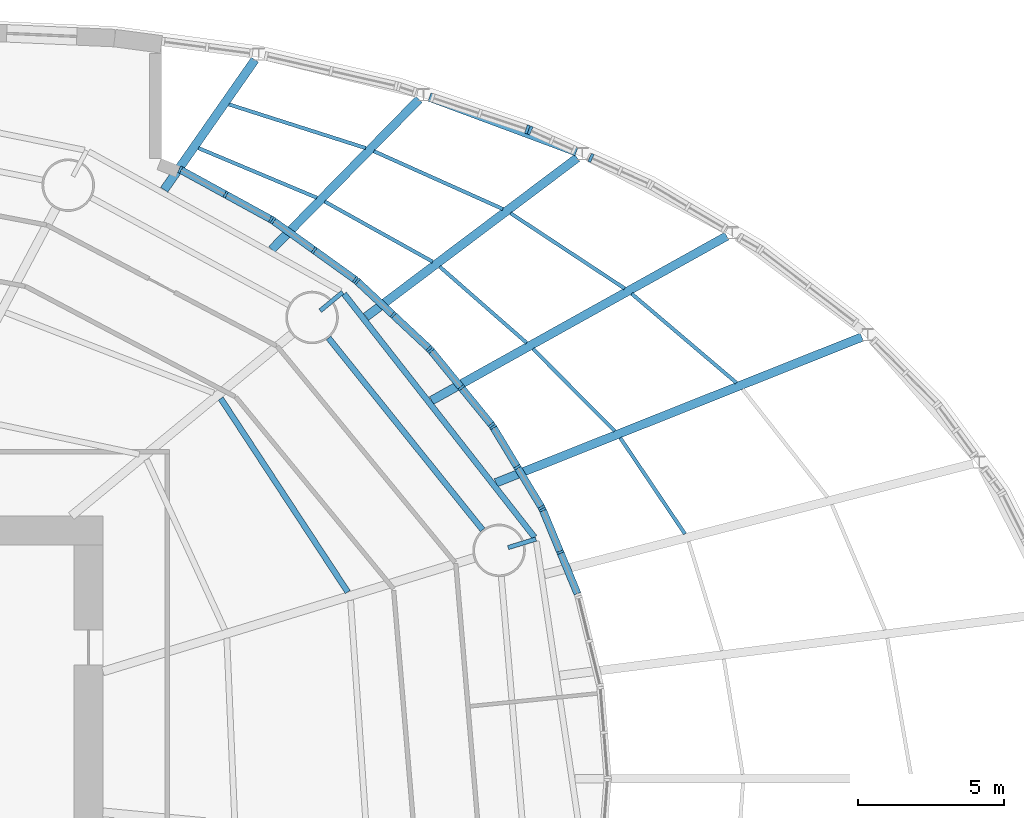
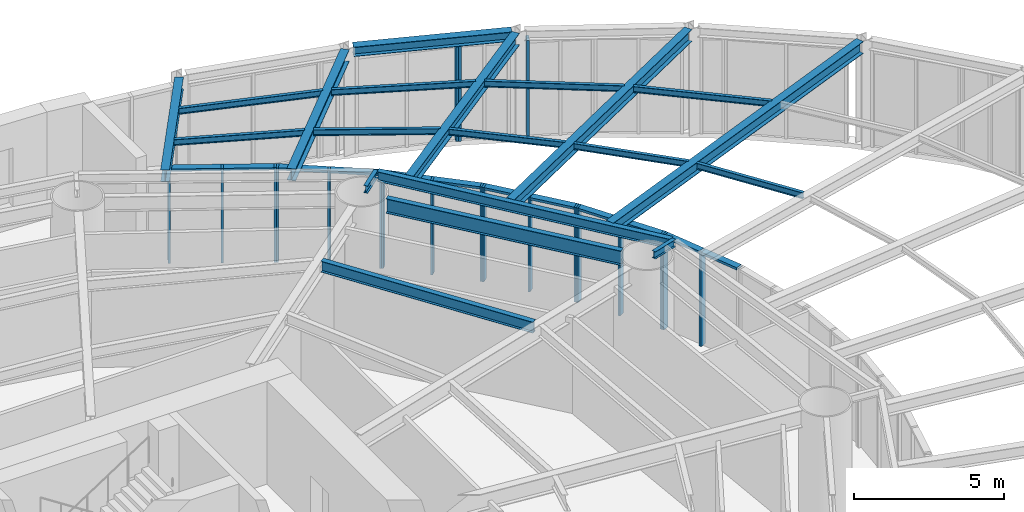
# One storey, part 9 of 23: 32 members, 20 beams, 9 elements without a shape of their own.
"""IFC4 building model written with IfcOpenShell, lengths in metres."""

from ifc_helpers import new_model, si_unit, direction, frame, origin, origin_2d, place, context, subcontext, project, spatial, rectangle, i_section, extrude, material, material_profile, profile_set, type_object, element, aggregate, save


model = new_model("IFC4")

# Units and contexts
model_context = context("Model", 3, precision=1e-05, world=origin(), true_north=direction((0.0, 1.0)))
body_context = subcontext(model_context, "Body", "Model", "MODEL_VIEW")
ifc_project = project(units=[si_unit("LENGTHUNIT", "METRE"), si_unit("AREAUNIT", "SQUARE_METRE"), si_unit("VOLUMEUNIT", "CUBIC_METRE"), si_unit("PLANEANGLEUNIT", "RADIAN"), si_unit("MASSUNIT", "GRAM", prefix="KILO")], contexts=[model_context])

# Site, building, storey
site_placement = place(None, origin())
site = spatial("IfcSite", under=ifc_project, at=site_placement, CompositionType="ELEMENT")
building_placement = place(site_placement, origin())
building = spatial("IfcBuilding", under=site, at=building_placement, Name="Vermilion Reach Broadcast Tower", CompositionType="ELEMENT")
storey_placement = place(building_placement, frame((0.0, 0.0, 31.5)))
storey = spatial("IfcBuildingStorey", under=building, at=storey_placement, Name="L04", CompositionType="ELEMENT", Elevation=31.5)

# Curtain wall, member
ifc_material_1 = material(Name="Low-e laminated clear glass in aluminium frame", Category="aluminium")
curtain_wall_type_1 = type_object("IfcCurtainWallType", Name="Atrium outer wall curtain wall", PredefinedType="NOTDEFINED", material=ifc_material_1)
placement = place(storey_placement, origin())
curtain_wall_1 = element("IfcCurtainWall", 1, at=placement, inside=storey, type_object=curtain_wall_type_1, Name="Atrium wall L04 19-1", PredefinedType="NOTDEFINED")
ifc_material_2 = material(Name="Anodised aluminium", Category="aluminium")
ifc_material_profile_1 = material_profile(ifc_material_2, rectangle(XDim=0.300048828125, YDim=0.10009765625, at=origin_2d()), Name="Atrium outer wall mullion 100 x 300")
ifc_profile_set_1 = profile_set([ifc_material_profile_1], Name="Anodised aluminium")
member_type_1 = type_object("IfcMemberType", Name="Atrium outer wall mullion 100 x 300", PredefinedType="MULLION", material=ifc_profile_set_1)
member_1_placement = place(storey_placement, frame((22.726806640625, 21.276123046875, 0.0), z_axis=(0.0, 0.0, 1.0), x_axis=(-0.410407876277, -0.911902064418, 0.0)))
member_1 = element("IfcMember", 2, at=member_1_placement, type_object=member_type_1, Name="Atrium wall mullion L04 19-1.3", PredefinedType="MULLION", context=body_context, shape_type="SweptSolid", body=[
    extrude(rectangle(XDim=0.300048828125, YDim=0.10009765625, at=origin_2d()), origin(), (0.0, 0.0, 1.0), 3.9599609375),
])
aggregate(curtain_wall_1, [member_1])

curtain_wall_2 = element("IfcCurtainWall", 3, at=placement, inside=storey, type_object=curtain_wall_type_1, Name="Atrium wall L04 19-2", PredefinedType="NOTDEFINED")
member_2_placement = place(storey_placement, frame((20.636962890625, 22.216552734375, 0.0), z_axis=(0.0, 0.0, 1.0), x_axis=(-0.410407876277, -0.911902064418, 0.0)))
member_2 = element("IfcMember", 4, at=member_2_placement, type_object=member_type_1, Name="Atrium wall mullion L04 19-2.3", PredefinedType="MULLION", context=body_context, shape_type="SweptSolid", body=[
    extrude(rectangle(XDim=0.300048828125, YDim=0.10009765625, at=origin_2d()), origin(), (0.0, 0.0, 1.0), 3.9599609375),
])
aggregate(curtain_wall_2, [member_2])

curtain_wall_3 = element("IfcCurtainWall", 5, at=placement, inside=storey, type_object=curtain_wall_type_1, Name="Atrium wall L04 20-1", PredefinedType="NOTDEFINED")
member_3_placement = place(storey_placement, frame((20.5439453125, 22.2529296875, 0.0), z_axis=(0.0, 0.0, 1.0), x_axis=(-0.315228098746, -0.949015935462, 0.0)))
member_3 = element("IfcMember", 6, at=member_3_placement, type_object=member_type_1, Name="Atrium wall mullion L04 20-1.1", PredefinedType="MULLION", context=body_context, shape_type="SweptSolid", body=[
    extrude(rectangle(XDim=0.300048828125, YDim=0.10009765625, at=origin_2d()), origin(), (0.0, 0.0, 1.0), 3.9599609375),
])
aggregate(curtain_wall_3, [member_3])

# Curtain wall, members
ifc_material_3 = material(Name="Low-e laminated clear glass in aluminium frame", Category="aluminium")
curtain_wall_type_2 = type_object("IfcCurtainWallType", Name="Drum wall curtain wall", PredefinedType="NOTDEFINED", material=ifc_material_3)
curtain_wall_4 = element("IfcCurtainWall", 7, at=placement, inside=storey, type_object=curtain_wall_type_2, Name="Drum wall L04 01", PredefinedType="NOTDEFINED")
ifc_material_4 = material(Name="Anodised aluminium", Category="aluminium")
ifc_material_profile_2 = material_profile(ifc_material_4, rectangle(XDim=0.25, YDim=0.080078125, at=origin_2d()), Name="Drum wall mullion 80 x 250")
ifc_profile_set_2 = profile_set([ifc_material_profile_2], Name="Anodised aluminium")
member_type_2 = type_object("IfcMemberType", Name="Drum wall mullion 80 x 250", PredefinedType="MULLION", material=ifc_profile_set_2)
member_4_placement = place(storey_placement, frame((8.648681640625, 20.870849609375, 0.0), z_axis=(0.0, 0.0, 1.0), x_axis=(0.480269272265, 0.87712110117, 0.0)))
member_4 = element("IfcMember", 8, at=member_4_placement, type_object=member_type_2, Name="Drum wall mullion L04 01.1", PredefinedType="MULLION", context=body_context, shape_type="SweptSolid", body=[
    extrude(rectangle(XDim=0.25, YDim=0.080078125, at=origin_2d()), origin(), (0.0, 0.0, 1.0), 3.862060546875),
])
member_5_placement = place(storey_placement, frame((10.2060546875, 20.01806640625, 0.0), z_axis=(0.0, 0.0, 1.0), x_axis=(0.480269272265, 0.87712110117, 0.0)))
member_5 = element("IfcMember", 9, at=member_5_placement, type_object=member_type_2, Name="Drum wall mullion L04 01.2", PredefinedType="MULLION", context=body_context, shape_type="SweptSolid", body=[
    extrude(rectangle(XDim=0.25, YDim=0.080078125, at=origin_2d()), origin(), (0.0, 0.0, 1.0), 3.862060546875),
])
member_6_placement = place(storey_placement, frame((11.76318359375, 19.16552734375, 0.0), z_axis=(0.0, 0.0, 1.0), x_axis=(0.480269272265, 0.87712110117, 0.0)))
member_6 = element("IfcMember", 10, at=member_6_placement, type_object=member_type_2, Name="Drum wall mullion L04 01.3", PredefinedType="MULLION", context=body_context, shape_type="SweptSolid", body=[
    extrude(rectangle(XDim=0.25, YDim=0.080078125, at=origin_2d()), origin(), (0.0, 0.0, 1.0), 3.862060546875),
])

curtain_wall_5 = element("IfcCurtainWall", 11, at=placement, inside=storey, type_object=curtain_wall_type_2, Name="Drum wall L04 02", PredefinedType="NOTDEFINED")
member_7_placement = place(storey_placement, frame((11.830810546875, 19.123046875, 0.0), z_axis=(0.0, 0.0, 1.0), x_axis=(0.583587074286, 0.812050569069, 0.0)))
member_7 = element("IfcMember", 12, at=member_7_placement, type_object=member_type_2, Name="Drum wall mullion L04 02.1", PredefinedType="MULLION", context=body_context, shape_type="SweptSolid", body=[
    extrude(rectangle(XDim=0.25, YDim=0.080078125, at=origin_2d()), origin(), (0.0, 0.0, 1.0), 3.862060546875),
])
member_8_placement = place(storey_placement, frame((13.23974609375, 18.1103515625, 0.0), z_axis=(0.0, 0.0, 1.0), x_axis=(0.583587074286, 0.812050569069, 0.0)))
member_8 = element("IfcMember", 13, at=member_8_placement, type_object=member_type_2, Name="Drum wall mullion L04 02.2", PredefinedType="MULLION", context=body_context, shape_type="SweptSolid", body=[
    extrude(rectangle(XDim=0.25, YDim=0.080078125, at=origin_2d()), origin(), (0.0, 0.0, 1.0), 3.862060546875),
])
member_9_placement = place(storey_placement, frame((14.64892578125, 17.09765625, 0.0), z_axis=(0.0, 0.0, 1.0), x_axis=(0.583587074286, 0.812050569069, 0.0)))
member_9 = element("IfcMember", 14, at=member_9_placement, type_object=member_type_2, Name="Drum wall mullion L04 02.3", PredefinedType="MULLION", context=body_context, shape_type="SweptSolid", body=[
    extrude(rectangle(XDim=0.25, YDim=0.080078125, at=origin_2d()), origin(), (0.0, 0.0, 1.0), 3.862060546875),
])

curtain_wall_6 = element("IfcCurtainWall", 15, at=placement, inside=storey, type_object=curtain_wall_type_2, Name="Drum wall L04 03", PredefinedType="NOTDEFINED")
member_10_placement = place(storey_placement, frame((14.710693359375, 17.047119140625, 0.0), z_axis=(0.0, 0.0, 1.0), x_axis=(0.682747869342, 0.730654054194, 0.0)))
member_10 = element("IfcMember", 16, at=member_10_placement, type_object=member_type_2, Name="Drum wall mullion L04 03.1", PredefinedType="MULLION", context=body_context, shape_type="SweptSolid", body=[
    extrude(rectangle(XDim=0.25, YDim=0.080078125, at=origin_2d()), origin(), (0.0, 0.0, 1.0), 3.862060546875),
])
member_11_placement = place(storey_placement, frame((15.947265625, 15.891357421875, 0.0), z_axis=(0.0, 0.0, 1.0), x_axis=(0.682747869342, 0.730654054194, 0.0)))
member_11 = element("IfcMember", 17, at=member_11_placement, type_object=member_type_2, Name="Drum wall mullion L04 03.2", PredefinedType="MULLION", context=body_context, shape_type="SweptSolid", body=[
    extrude(rectangle(XDim=0.25, YDim=0.080078125, at=origin_2d()), origin(), (0.0, 0.0, 1.0), 3.862060546875),
])
member_12_placement = place(storey_placement, frame((17.18408203125, 14.73583984375, 0.0), z_axis=(0.0, 0.0, 1.0), x_axis=(0.682747869342, 0.730654054194, 0.0)))
member_12 = element("IfcMember", 18, at=member_12_placement, type_object=member_type_2, Name="Drum wall mullion L04 03.3", PredefinedType="MULLION", context=body_context, shape_type="SweptSolid", body=[
    extrude(rectangle(XDim=0.25, YDim=0.080078125, at=origin_2d()), origin(), (0.0, 0.0, 1.0), 3.862060546875),
])

curtain_wall_7 = element("IfcCurtainWall", 19, at=placement, inside=storey, type_object=curtain_wall_type_2, Name="Drum wall L04 04", PredefinedType="NOTDEFINED")
member_13_placement = place(storey_placement, frame((17.238525390625, 14.677490234375, 0.0), z_axis=(0.0, 0.0, 1.0), x_axis=(0.775024968423, 0.631930611951, 0.0)))
member_13 = element("IfcMember", 20, at=member_13_placement, type_object=member_type_2, Name="Drum wall mullion L04 04.1", PredefinedType="MULLION", context=body_context, shape_type="SweptSolid", body=[
    extrude(rectangle(XDim=0.25, YDim=0.080078125, at=origin_2d()), origin(), (0.0, 0.0, 1.0), 3.862060546875),
])
member_14_placement = place(storey_placement, frame((18.28173828125, 13.398193359375, 0.0), z_axis=(0.0, 0.0, 1.0), x_axis=(0.775024968423, 0.631930611951, 0.0)))
member_14 = element("IfcMember", 21, at=member_14_placement, type_object=member_type_2, Name="Drum wall mullion L04 04.2", PredefinedType="MULLION", context=body_context, shape_type="SweptSolid", body=[
    extrude(rectangle(XDim=0.25, YDim=0.080078125, at=origin_2d()), origin(), (0.0, 0.0, 1.0), 3.862060546875),
])
member_15_placement = place(storey_placement, frame((19.32470703125, 12.118896484375, 0.0), z_axis=(0.0, 0.0, 1.0), x_axis=(0.775024968423, 0.631930611951, 0.0)))
member_15 = element("IfcMember", 22, at=member_15_placement, type_object=member_type_2, Name="Drum wall mullion L04 04.3", PredefinedType="MULLION", context=body_context, shape_type="SweptSolid", body=[
    extrude(rectangle(XDim=0.25, YDim=0.080078125, at=origin_2d()), origin(), (0.0, 0.0, 1.0), 3.862060546875),
])

curtain_wall_8 = element("IfcCurtainWall", 23, at=placement, inside=storey, type_object=curtain_wall_type_2, Name="Drum wall L04 05", PredefinedType="NOTDEFINED")
member_16_placement = place(storey_placement, frame((19.37060546875, 12.0537109375, 0.0), z_axis=(0.0, 0.0, 1.0), x_axis=(0.856821409027, 0.515613297961, 0.0)))
member_16 = element("IfcMember", 24, at=member_16_placement, type_object=member_type_2, Name="Drum wall mullion L04 05.1", PredefinedType="MULLION", context=body_context, shape_type="SweptSolid", body=[
    extrude(rectangle(XDim=0.25, YDim=0.080078125, at=origin_2d()), origin(), (0.0, 0.0, 1.0), 3.862060546875),
])
member_17_placement = place(storey_placement, frame((20.201904296875, 10.67236328125, 0.0), z_axis=(0.0, 0.0, 1.0), x_axis=(0.856821409027, 0.515613297961, 0.0)))
member_17 = element("IfcMember", 25, at=member_17_placement, type_object=member_type_2, Name="Drum wall mullion L04 05.2", PredefinedType="MULLION", context=body_context, shape_type="SweptSolid", body=[
    extrude(rectangle(XDim=0.25, YDim=0.080078125, at=origin_2d()), origin(), (0.0, 0.0, 1.0), 3.862060546875),
])
member_18_placement = place(storey_placement, frame((21.032958984375, 9.291015625, 0.0), z_axis=(0.0, 0.0, 1.0), x_axis=(0.856821409027, 0.515613297961, 0.0)))
member_18 = element("IfcMember", 26, at=member_18_placement, type_object=member_type_2, Name="Drum wall mullion L04 05.3", PredefinedType="MULLION", context=body_context, shape_type="SweptSolid", body=[
    extrude(rectangle(XDim=0.25, YDim=0.080078125, at=origin_2d()), origin(), (0.0, 0.0, 1.0), 3.862060546875),
])

curtain_wall_9 = element("IfcCurtainWall", 27, at=placement, inside=storey, type_object=curtain_wall_type_2, Name="Drum wall L04 06", PredefinedType="NOTDEFINED")
member_19_placement = place(storey_placement, frame((21.069091796875, 9.219970703125, 0.0), z_axis=(0.0, 0.0, 1.0), x_axis=(0.92387542808, 0.382693341189, 0.0)))
member_19 = element("IfcMember", 28, at=member_19_placement, type_object=member_type_2, Name="Drum wall mullion L04 06.1", PredefinedType="MULLION", context=body_context, shape_type="SweptSolid", body=[
    extrude(rectangle(XDim=0.25, YDim=0.080078125, at=origin_2d()), origin(), (0.0, 0.0, 1.0), 3.862060546875),
])
member_20_placement = place(storey_placement, frame((21.673583984375, 7.76025390625, 0.0), z_axis=(0.0, 0.0, 1.0), x_axis=(0.92387542808, 0.382693341189, 0.0)))
member_20 = element("IfcMember", 29, at=member_20_placement, type_object=member_type_2, Name="Drum wall mullion L04 06.2", PredefinedType="MULLION", context=body_context, shape_type="SweptSolid", body=[
    extrude(rectangle(XDim=0.25, YDim=0.080078125, at=origin_2d()), origin(), (0.0, 0.0, 1.0), 3.862060546875),
])

# Member
ifc_material_5 = material(Name="Anodised aluminium", Category="aluminium")
ifc_material_profile_3 = material_profile(ifc_material_5, rectangle(XDim=0.25, YDim=0.10009765625, at=origin_2d()), Name="Drum wall transom 250 x 100")
ifc_profile_set_3 = profile_set([ifc_material_profile_3], Name="Anodised aluminium")
member_type_3 = type_object("IfcMemberType", Name="Drum wall transom 250 x 100", PredefinedType="USERDEFINED", material=ifc_profile_set_3)
member_21_placement = place(storey_placement, frame((8.683837890625, 20.8515625, 3.81201171875), z_axis=(0.877129487817, -0.480253955322, 0.0), x_axis=(0.480253955322, 0.877129487817, 0.0)))
member_21 = element("IfcMember", 30, at=member_21_placement, type_object=member_type_3, Name="Drum wall transom L04 01.1.2", ObjectType="TRANSOM", PredefinedType="USERDEFINED", context=body_context, shape_type="SweptSolid", body=[
    extrude(rectangle(XDim=0.25, YDim=0.10009765625, at=origin_2d()), origin(), (0.0, 0.0, 1.0), 1.6953125),
])

member_22_placement = place(storey_placement, frame((10.2412109375, 19.9990234375, 3.81201171875), z_axis=(0.877096267842, -0.480314622866, 0.0), x_axis=(0.480314622866, 0.877096267842, 0.0)))
member_22 = element("IfcMember", 31, at=member_22_placement, type_object=member_type_3, Name="Drum wall transom L04 01.2.2", ObjectType="TRANSOM", PredefinedType="USERDEFINED", context=body_context, shape_type="SweptSolid", body=[
    extrude(rectangle(XDim=0.25, YDim=0.10009765625, at=origin_2d()), origin(), (0.0, 0.0, 1.0), 1.695068359375),
])

aggregate(curtain_wall_4, [member_4, member_5, member_6, member_21, member_22])

member_23_placement = place(storey_placement, frame((11.86328125, 19.099609375, 3.81201171875), z_axis=(0.812065616245, -0.583566135852, 0.0), x_axis=(0.583566135852, 0.812065616245, 0.0)))
member_23 = element("IfcMember", 32, at=member_23_placement, type_object=member_type_3, Name="Drum wall transom L04 02.1.2", ObjectType="TRANSOM", PredefinedType="USERDEFINED", context=body_context, shape_type="SweptSolid", body=[
    extrude(rectangle(XDim=0.25, YDim=0.10009765625, at=origin_2d()), origin(), (0.0, 0.0, 1.0), 1.655029296875),
])

member_24_placement = place(storey_placement, frame((13.272216796875, 18.0869140625, 3.81201171875), z_axis=(0.812115843093, -0.583496235975, 0.0), x_axis=(0.583496235975, 0.812115843093, 0.0)))
member_24 = element("IfcMember", 33, at=member_24_placement, type_object=member_type_3, Name="Drum wall transom L04 02.2.2", ObjectType="TRANSOM", PredefinedType="USERDEFINED", context=body_context, shape_type="SweptSolid", body=[
    extrude(rectangle(XDim=0.25, YDim=0.10009765625, at=origin_2d()), origin(), (0.0, 0.0, 1.0), 1.6552734375),
])

aggregate(curtain_wall_5, [member_7, member_8, member_9, member_23, member_24])

member_25_placement = place(storey_placement, frame((14.73974609375, 17.019775390625, 3.81201171875), z_axis=(0.730692725273, -0.68270648249, 0.0), x_axis=(0.68270648249, 0.730692725273, 0.0)))
member_25 = element("IfcMember", 34, at=member_25_placement, type_object=member_type_3, Name="Drum wall transom L04 03.1.2", ObjectType="TRANSOM", PredefinedType="USERDEFINED", context=body_context, shape_type="SweptSolid", body=[
    extrude(rectangle(XDim=0.25, YDim=0.10009765625, at=origin_2d()), origin(), (0.0, 0.0, 1.0), 1.61279296875),
])

member_26_placement = place(storey_placement, frame((15.9765625, 15.864013671875, 3.81201171875), z_axis=(0.730622158932, -0.682782000991, 0.0), x_axis=(0.682782000991, 0.730622158932, 0.0)))
member_26 = element("IfcMember", 35, at=member_26_placement, type_object=member_type_3, Name="Drum wall transom L04 03.2.2", ObjectType="TRANSOM", PredefinedType="USERDEFINED", context=body_context, shape_type="SweptSolid", body=[
    extrude(rectangle(XDim=0.25, YDim=0.10009765625, at=origin_2d()), origin(), (0.0, 0.0, 1.0), 1.612548828125),
])

aggregate(curtain_wall_6, [member_10, member_11, member_12, member_25, member_26])

member_27_placement = place(storey_placement, frame((17.263916015625, 14.646484375, 3.81201171875), z_axis=(0.631890910418, -0.775057338092, 0.0), x_axis=(0.775057338092, 0.631890910418, 0.0)))
member_27 = element("IfcMember", 36, at=member_27_placement, type_object=member_type_3, Name="Drum wall transom L04 04.1.2", ObjectType="TRANSOM", PredefinedType="USERDEFINED", context=body_context, shape_type="SweptSolid", body=[
    extrude(rectangle(XDim=0.25, YDim=0.10009765625, at=origin_2d()), origin(), (0.0, 0.0, 1.0), 1.570556640625),
])

member_28_placement = place(storey_placement, frame((18.306884765625, 13.3671875, 3.81201171875), z_axis=(0.631984275662, -0.774981209653, 0.0), x_axis=(0.774981209653, 0.631984275662, 0.0)))
member_28 = element("IfcMember", 37, at=member_28_placement, type_object=member_type_3, Name="Drum wall transom L04 04.2.2", ObjectType="TRANSOM", PredefinedType="USERDEFINED", context=body_context, shape_type="SweptSolid", body=[
    extrude(rectangle(XDim=0.25, YDim=0.10009765625, at=origin_2d()), origin(), (0.0, 0.0, 1.0), 1.57080078125),
])

aggregate(curtain_wall_7, [member_13, member_14, member_15, member_27, member_28])

member_29_placement = place(storey_placement, frame((19.391357421875, 12.019287109375, 3.81201171875), z_axis=(0.515526530238, -0.856873617648, 0.0), x_axis=(0.856873617648, 0.515526530238, 0.0)))
member_29 = element("IfcMember", 38, at=member_29_placement, type_object=member_type_3, Name="Drum wall transom L04 05.1.2", ObjectType="TRANSOM", PredefinedType="USERDEFINED", context=body_context, shape_type="SweptSolid", body=[
    extrude(rectangle(XDim=0.25, YDim=0.10009765625, at=origin_2d()), origin(), (0.0, 0.0, 1.0), 1.531982421875),
])

member_30_placement = place(storey_placement, frame((20.222412109375, 10.63818359375, 3.81201171875), z_axis=(0.515643522398, -0.856803220004, 0.0), x_axis=(0.856803220004, 0.515643522398, 0.0)))
member_30 = element("IfcMember", 39, at=member_30_placement, type_object=member_type_3, Name="Drum wall transom L04 05.2.2", ObjectType="TRANSOM", PredefinedType="USERDEFINED", context=body_context, shape_type="SweptSolid", body=[
    extrude(rectangle(XDim=0.25, YDim=0.10009765625, at=origin_2d()), origin(), (0.0, 0.0, 1.0), 1.5322265625),
])

aggregate(curtain_wall_8, [member_16, member_17, member_18, member_29, member_30])

member_31_placement = place(storey_placement, frame((21.084228515625, 9.182861328125, 3.81201171875), z_axis=(0.382811769845, -0.923826362943, 0.0), x_axis=(0.923826362943, 0.382811769845, 0.0)))
member_31 = element("IfcMember", 40, at=member_31_placement, type_object=member_type_3, Name="Drum wall transom L04 06.1.2", ObjectType="TRANSOM", PredefinedType="USERDEFINED", context=body_context, shape_type="SweptSolid", body=[
    extrude(rectangle(XDim=0.25, YDim=0.10009765625, at=origin_2d()), origin(), (0.0, 0.0, 1.0), 1.5),
])

member_32_placement = place(storey_placement, frame((21.68896484375, 7.72314453125, 3.81201171875), z_axis=(0.382672848413, -0.923883916457, 0.0), x_axis=(0.923883916457, 0.382672848413, 0.0)))
member_32 = element("IfcMember", 41, at=member_32_placement, type_object=member_type_3, Name="Drum wall transom L04 06.2.2", ObjectType="TRANSOM", PredefinedType="USERDEFINED", context=body_context, shape_type="SweptSolid", body=[
    extrude(rectangle(XDim=0.25, YDim=0.10009765625, at=origin_2d()), origin(), (0.0, 0.0, 1.0), 1.5),
])

aggregate(curtain_wall_9, [member_19, member_20, member_31, member_32])

# Beams
ifc_material_6 = material(Name="Steel S355J2", Category="steel")
ifc_material_profile_4 = material_profile(ifc_material_6, i_section(OverallWidth=0.199951171875, OverallDepth=0.39990234375, WebThickness=0.008056640625, FlangeThickness=0.012939453125, at=origin_2d()), Name="S355J2 HN 400x200x8x13")
ifc_profile_set_4 = profile_set([ifc_material_profile_4], Name="Steel S355J2")
beam_type_1 = type_object("IfcBeamType", Name="EB1 HN 400x200x8x13", PredefinedType="BEAM", material=ifc_profile_set_4)
beam_1_placement = place(storey_placement, frame((20.7900390625, 8.274169921875, 4.14990234375), z_axis=(-0.616413320997, 0.787422769354, 0.0), x_axis=(-0.787422769354, -0.616413320997, 0.0)))
element("IfcBeam", 42, at=beam_1_placement, inside=storey, type_object=beam_type_1, Name="Edge beam EB1-01", PredefinedType="BEAM", context=body_context, shape_type="SweptSolid", body=[
    extrude(i_section(OverallWidth=0.199951171875, OverallDepth=0.39990234375, WebThickness=0.008056640625, FlangeThickness=0.012939453125, at=origin_2d()), origin(), (0.0, 0.0, 1.0), 10.5888671875),
])
ifc_material_7 = material(Name="Steel S355J2", Category="steel")
ifc_material_profile_5 = material_profile(ifc_material_7, i_section(OverallWidth=0.14990234375, OverallDepth=0.300048828125, WebThickness=0.006591796875, FlangeThickness=0.009033203125, at=origin_2d()), Name="S355J2 HN 300x150x6.5x9")
ifc_profile_set_5 = profile_set([ifc_material_profile_5], Name="Steel S355J2")
beam_type_2 = type_object("IfcBeamType", Name="GS1 HN 300x150x6.5x9", PredefinedType="BEAM", material=ifc_profile_set_5)
beam_2_placement = place(storey_placement, frame((19.883544921875, 7.918212890625, 4.199951171875), z_axis=(0.956184611971, 0.29276438962, 0.0), x_axis=(-0.29276438962, 0.956184611971, 0.0)))
element("IfcBeam", 43, at=beam_2_placement, inside=storey, type_object=beam_type_2, Name="Cantilever stub GS1-01", PredefinedType="BEAM", context=body_context, shape_type="SweptSolid", body=[
    extrude(i_section(OverallWidth=0.14990234375, OverallDepth=0.300048828125, WebThickness=0.006591796875, FlangeThickness=0.009033203125, at=origin_2d()), origin(), (0.0, 0.0, 1.0), 0.999755859375),
])
beam_3_placement = place(storey_placement, frame((13.445068359375, 16.034912109375, 4.199951171875), z_axis=(0.771493112118, 0.636237674108, 0.0), x_axis=(-0.636237674108, 0.771493112118, 0.0)))
element("IfcBeam", 44, at=beam_3_placement, inside=storey, type_object=beam_type_2, Name="Cantilever stub GS1-02", PredefinedType="BEAM", context=body_context, shape_type="SweptSolid", body=[
    extrude(i_section(OverallWidth=0.14990234375, OverallDepth=0.300048828125, WebThickness=0.006591796875, FlangeThickness=0.009033203125, at=origin_2d()), origin(), (0.0, 0.0, 1.0), 1.0),
])
ifc_material_8 = material(Name="Steel S355J2", Category="steel")
ifc_material_profile_6 = material_profile(ifc_material_8, i_section(OverallWidth=0.125, OverallDepth=0.25, WebThickness=0.006103515625, FlangeThickness=0.009033203125, at=origin_2d()), Name="S355J2 HN 250x125x6x9")
ifc_profile_set_6 = profile_set([ifc_material_profile_6], Name="Steel S355J2")
beam_type_3 = type_object("IfcBeamType", Name="PU1 HN 250x125x6x9", PredefinedType="JOIST", material=ifc_profile_set_6)
beam_4_placement = place(storey_placement, frame((25.944091796875, 8.3896484375, 4.22509765625), z_axis=(-0.558573577782, 0.829454976598, 0.0), x_axis=(-0.829454976598, -0.558573577782, 0.0)))
element("IfcBeam", 45, at=beam_4_placement, inside=storey, type_object=beam_type_3, Name="Atrium purlin PU1-10-1", PredefinedType="JOIST", context=body_context, shape_type="SweptSolid", body=[
    extrude(i_section(OverallWidth=0.125, OverallDepth=0.25, WebThickness=0.006103515625, FlangeThickness=0.009033203125, at=origin_2d()), origin(), (0.0, 0.0, 1.0), 3.96484375),
])
beam_5_placement = place(storey_placement, frame((23.5400390625, 11.9091796875, 4.22509765625), z_axis=(-0.704553241016, 0.709651133004, 0.0), x_axis=(-0.709651133004, -0.704553241016, 0.0)))
element("IfcBeam", 46, at=beam_5_placement, inside=storey, type_object=beam_type_3, Name="Atrium purlin PU1-11-1", PredefinedType="JOIST", context=body_context, shape_type="SweptSolid", body=[
    extrude(i_section(OverallWidth=0.125, OverallDepth=0.25, WebThickness=0.006103515625, FlangeThickness=0.009033203125, at=origin_2d()), origin(), (0.0, 0.0, 1.0), 3.974853515625),
])
beam_6_placement = place(storey_placement, frame((27.712158203125, 13.564453125, 4.22509765625), z_axis=(-0.761893316175, 0.647702535712, 0.0), x_axis=(-0.647702535712, -0.761893316175, 0.0)))
element("IfcBeam", 47, at=beam_6_placement, inside=storey, type_object=beam_type_3, Name="Atrium purlin PU1-11-2", PredefinedType="JOIST", context=body_context, shape_type="SweptSolid", body=[
    extrude(i_section(OverallWidth=0.125, OverallDepth=0.25, WebThickness=0.006103515625, FlangeThickness=0.009033203125, at=origin_2d()), origin(), (0.0, 0.0, 1.0), 4.71435546875),
])
beam_7_placement = place(storey_placement, frame((20.52099609375, 14.935302734375, 4.22509765625), z_axis=(-0.752156364976, 0.658984675562, 0.0), x_axis=(-0.658984675562, -0.752156364976, 0.0)))
element("IfcBeam", 48, at=beam_7_placement, inside=storey, type_object=beam_type_3, Name="Atrium purlin PU1-12-1", PredefinedType="JOIST", context=body_context, shape_type="SweptSolid", body=[
    extrude(i_section(OverallWidth=0.125, OverallDepth=0.25, WebThickness=0.006103515625, FlangeThickness=0.009033203125, at=origin_2d()), origin(), (0.0, 0.0, 1.0), 3.959228515625),
])
beam_8_placement = place(storey_placement, frame((23.880859375, 16.797607421875, 4.22509765625), z_axis=(-0.834868435779, 0.550449538958, 0.0), x_axis=(-0.550449538958, -0.834868435779, 0.0)))
element("IfcBeam", 49, at=beam_8_placement, inside=storey, type_object=beam_type_3, Name="Atrium purlin PU1-12-2", PredefinedType="JOIST", context=body_context, shape_type="SweptSolid", body=[
    extrude(i_section(OverallWidth=0.125, OverallDepth=0.25, WebThickness=0.006103515625, FlangeThickness=0.009033203125, at=origin_2d()), origin(), (0.0, 0.0, 1.0), 4.686767578125),
])
beam_9_placement = place(storey_placement, frame((17.299072265625, 17.716064453125, 4.22509765625), z_axis=(-0.873577430399, 0.486685188902, 0.0), x_axis=(-0.486685188902, -0.873577430399, 0.0)))
element("IfcBeam", 50, at=beam_9_placement, inside=storey, type_object=beam_type_3, Name="Atrium purlin PU1-13-1", PredefinedType="JOIST", context=body_context, shape_type="SweptSolid", body=[
    extrude(i_section(OverallWidth=0.125, OverallDepth=0.25, WebThickness=0.006103515625, FlangeThickness=0.009033203125, at=origin_2d()), origin(), (0.0, 0.0, 1.0), 4.23486328125),
])
beam_10_placement = place(storey_placement, frame((19.7060546875, 19.521240234375, 4.22509765625), z_axis=(-0.912493104164, 0.40909208603, 0.0), x_axis=(-0.40909208603, -0.912493104164, 0.0)))
element("IfcBeam", 51, at=beam_10_placement, inside=storey, type_object=beam_type_3, Name="Atrium purlin PU1-13-2", PredefinedType="JOIST", context=body_context, shape_type="SweptSolid", body=[
    extrude(i_section(OverallWidth=0.125, OverallDepth=0.25, WebThickness=0.006103515625, FlangeThickness=0.009033203125, at=origin_2d()), origin(), (0.0, 0.0, 1.0), 4.843505859375),
])
beam_11_placement = place(storey_placement, frame((13.330322265625, 19.908203125, 4.22509765625), z_axis=(-0.922205875256, 0.386699267704, 0.0), x_axis=(-0.386699267704, -0.922205875256, 0.0)))
element("IfcBeam", 52, at=beam_11_placement, inside=storey, type_object=beam_type_3, Name="Atrium purlin PU1-14-1", PredefinedType="JOIST", context=body_context, shape_type="SweptSolid", body=[
    extrude(i_section(OverallWidth=0.125, OverallDepth=0.25, WebThickness=0.006103515625, FlangeThickness=0.009033203125, at=origin_2d()), origin(), (0.0, 0.0, 1.0), 4.398681640625),
])
beam_12_placement = place(storey_placement, frame((15.006591796875, 21.609619140625, 4.22509765625), z_axis=(-0.952623146551, 0.304153153287, 0.0), x_axis=(-0.304153153287, -0.952623146551, 0.0)))
element("IfcBeam", 53, at=beam_12_placement, inside=storey, type_object=beam_type_3, Name="Atrium purlin PU1-14-2", PredefinedType="JOIST", context=body_context, shape_type="SweptSolid", body=[
    extrude(i_section(OverallWidth=0.125, OverallDepth=0.25, WebThickness=0.006103515625, FlangeThickness=0.009033203125, at=origin_2d()), origin(), (0.0, 0.0, 1.0), 4.923583984375),
])
ifc_material_9 = material(Name="Steel S355J2", Category="steel")
ifc_material_profile_7 = material_profile(ifc_material_9, i_section(OverallWidth=0.199951171875, OverallDepth=0.60009765625, WebThickness=0.010986328125, FlangeThickness=0.01708984375, at=origin_2d()), Name="S355J2 HN 600x200x11x17")
ifc_profile_set_7 = profile_set([ifc_material_profile_7], Name="Steel S355J2")
beam_type_4 = type_object("IfcBeamType", Name="RB1 HN 600x200x11x17", PredefinedType="BEAM", material=ifc_profile_set_7)
beam_13_placement = place(storey_placement, frame((19.011962890625, 8.52587890625, 4.050048828125), z_axis=(-0.626162157191, 0.779692858055, 0.0), x_axis=(-0.779692858055, -0.626162157191, 0.0)))
element("IfcBeam", 54, at=beam_13_placement, inside=storey, type_object=beam_type_4, Name="Ring beam RB1-01", PredefinedType="BEAM", context=body_context, shape_type="SweptSolid", body=[
    extrude(i_section(OverallWidth=0.199951171875, OverallDepth=0.60009765625, WebThickness=0.010986328125, FlangeThickness=0.01708984375, at=origin_2d()), origin(), (0.0, 0.0, 1.0), 8.435791015625),
])
ifc_material_10 = material(Name="Steel S355J2", Category="steel")
ifc_material_profile_8 = material_profile(ifc_material_10, i_section(OverallWidth=0.300048828125, OverallDepth=0.488037109375, WebThickness=0.010986328125, FlangeThickness=0.01806640625, at=origin_2d()), Name="S355J2 HM 488x300x11x18")
ifc_profile_set_8 = profile_set([ifc_material_profile_8], Name="Steel S355J2")
beam_type_5 = type_object("IfcBeamType", Name="RF1 HM 488x300x11x18", PredefinedType="BEAM", material=ifc_profile_set_8)
beam_14_placement = place(storey_placement, frame((19.46484375, 10.13818359375, 4.10595703125), z_axis=(0.929071658636, 0.369899787942, 0.0), x_axis=(-0.369899787942, 0.929071658636, 0.0)))
element("IfcBeam", 55, at=beam_14_placement, inside=storey, type_object=beam_type_5, Name="Atrium rafter RF1-11", PredefinedType="BEAM", context=body_context, shape_type="SweptSolid", body=[
    extrude(i_section(OverallWidth=0.300048828125, OverallDepth=0.488037109375, WebThickness=0.010986328125, FlangeThickness=0.01806640625, at=origin_2d()), origin(), (0.0, 0.0, 1.0), 13.5),
])
beam_15_placement = place(storey_placement, frame((17.261474609375, 12.9580078125, 4.10595703125), z_axis=(0.873598833522, 0.4866467693, 0.0), x_axis=(-0.4866467693, 0.873598833522, 0.0)))
element("IfcBeam", 56, at=beam_15_placement, inside=storey, type_object=beam_type_5, Name="Atrium rafter RF1-12", PredefinedType="BEAM", context=body_context, shape_type="SweptSolid", body=[
    extrude(i_section(OverallWidth=0.300048828125, OverallDepth=0.488037109375, WebThickness=0.010986328125, FlangeThickness=0.01806640625, at=origin_2d()), origin(), (0.0, 0.0, 1.0), 11.580810546875),
])
beam_16_placement = place(storey_placement, frame((15.017578125, 15.826416015625, 4.10595703125), z_axis=(0.798840911205, 0.601542349785, 0.0), x_axis=(-0.601542349785, 0.798840911205, 0.0)))
element("IfcBeam", 57, at=beam_16_placement, inside=storey, type_object=beam_type_5, Name="Atrium rafter RF1-13", PredefinedType="BEAM", context=body_context, shape_type="SweptSolid", body=[
    extrude(i_section(OverallWidth=0.300048828125, OverallDepth=0.488037109375, WebThickness=0.010986328125, FlangeThickness=0.01806640625, at=origin_2d()), origin(), (0.0, 0.0, 1.0), 9.060302734375),
])
beam_17_placement = place(storey_placement, frame((11.78759765625, 18.13623046875, 4.10595703125), z_axis=(0.700208999169, 0.71393792271, 0.0), x_axis=(-0.71393792271, 0.700208999169, 0.0)))
element("IfcBeam", 58, at=beam_17_placement, inside=storey, type_object=beam_type_5, Name="Atrium rafter RF1-14", PredefinedType="BEAM", context=body_context, shape_type="SweptSolid", body=[
    extrude(i_section(OverallWidth=0.300048828125, OverallDepth=0.488037109375, WebThickness=0.010986328125, FlangeThickness=0.01806640625, at=origin_2d()), origin(), (0.0, 0.0, 1.0), 7.2021484375),
])
beam_18_placement = place(storey_placement, frame((8.09765625, 20.181396484375, 4.10595703125), z_axis=(0.572672474665, 0.819784262329, 0.0), x_axis=(-0.819784262329, 0.572672474665, 0.0)))
element("IfcBeam", 59, at=beam_18_placement, inside=storey, type_object=beam_type_5, Name="Atrium rafter RF1-15", PredefinedType="BEAM", context=body_context, shape_type="SweptSolid", body=[
    extrude(i_section(OverallWidth=0.300048828125, OverallDepth=0.488037109375, WebThickness=0.010986328125, FlangeThickness=0.01806640625, at=origin_2d()), origin(), (0.0, 0.0, 1.0), 5.436767578125),
])
ifc_material_11 = material(Name="Steel S355J2", Category="steel")
ifc_material_profile_9 = material_profile(ifc_material_11, i_section(OverallWidth=0.300048828125, OverallDepth=0.389892578125, WebThickness=0.010009765625, FlangeThickness=0.01611328125, at=origin_2d()), Name="S355J2 HM 390x300x10x16")
ifc_profile_set_9 = profile_set([ifc_material_profile_9], Name="Steel S355J2")
beam_type_6 = type_object("IfcBeamType", Name="RM1 HM 390x300x10x16", PredefinedType="BEAM", material=ifc_profile_set_9)
beam_19_placement = place(storey_placement, frame((22.22509765625, 21.485595703125, 4.155029296875), z_axis=(-0.937250522131, 0.348656648818, 0.0), x_axis=(-0.348656648818, -0.937250522131, 0.0)))
element("IfcBeam", 60, at=beam_19_placement, inside=storey, type_object=beam_type_6, Name="Rim beam AP13-AP14", PredefinedType="BEAM", context=body_context, shape_type="SweptSolid", body=[
    extrude(i_section(OverallWidth=0.300048828125, OverallDepth=0.389892578125, WebThickness=0.010009765625, FlangeThickness=0.01611328125, at=origin_2d()), origin(), (0.0, 0.0, 1.0), 5.37158203125),
])
ifc_material_12 = material(Name="Steel S355J2", Category="steel")
ifc_material_profile_10 = material_profile(ifc_material_12, i_section(OverallWidth=0.199951171875, OverallDepth=0.449951171875, WebThickness=0.009033203125, FlangeThickness=0.013916015625, at=origin_2d()), Name="S355J2 HN 450x200x9x14")
ifc_profile_set_10 = profile_set([ifc_material_profile_10], Name="Steel S355J2")
beam_type_7 = type_object("IfcBeamType", Name="SB1 HN 450x200x9x14", PredefinedType="BEAM", material=ifc_profile_set_10)
beam_20_placement = place(storey_placement, frame((14.390625, 6.394775390625, 4.125), z_axis=(-0.548800909102, 0.835953086105, 0.0), x_axis=(-0.835953086105, -0.548800909102, 0.0)))
element("IfcBeam", 61, at=beam_20_placement, inside=storey, type_object=beam_type_7, Name="Secondary beam SB1-01-2", PredefinedType="BEAM", context=body_context, shape_type="SweptSolid", body=[
    extrude(i_section(OverallWidth=0.199951171875, OverallDepth=0.449951171875, WebThickness=0.009033203125, FlangeThickness=0.013916015625, at=origin_2d()), origin(), (0.0, 0.0, 1.0), 7.935791015625),
])

save(model, "model.ifc")
